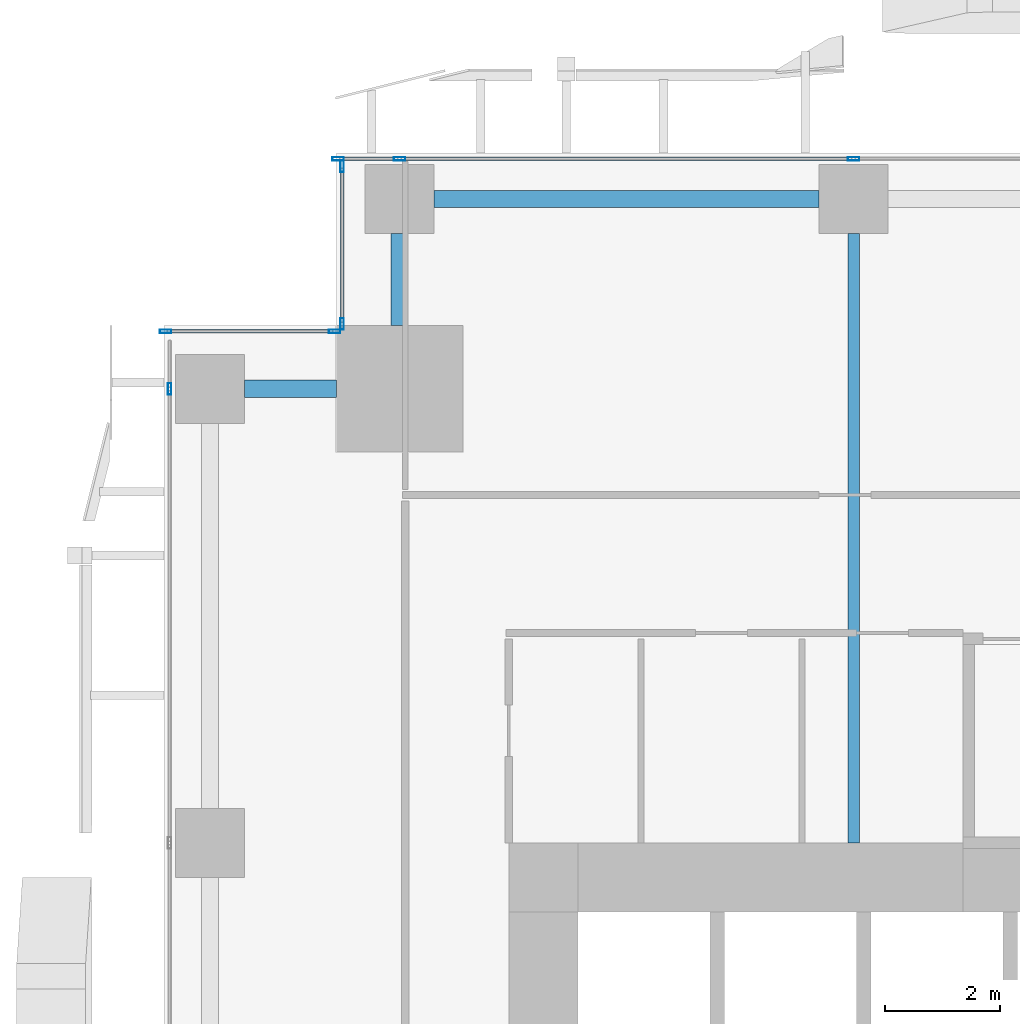
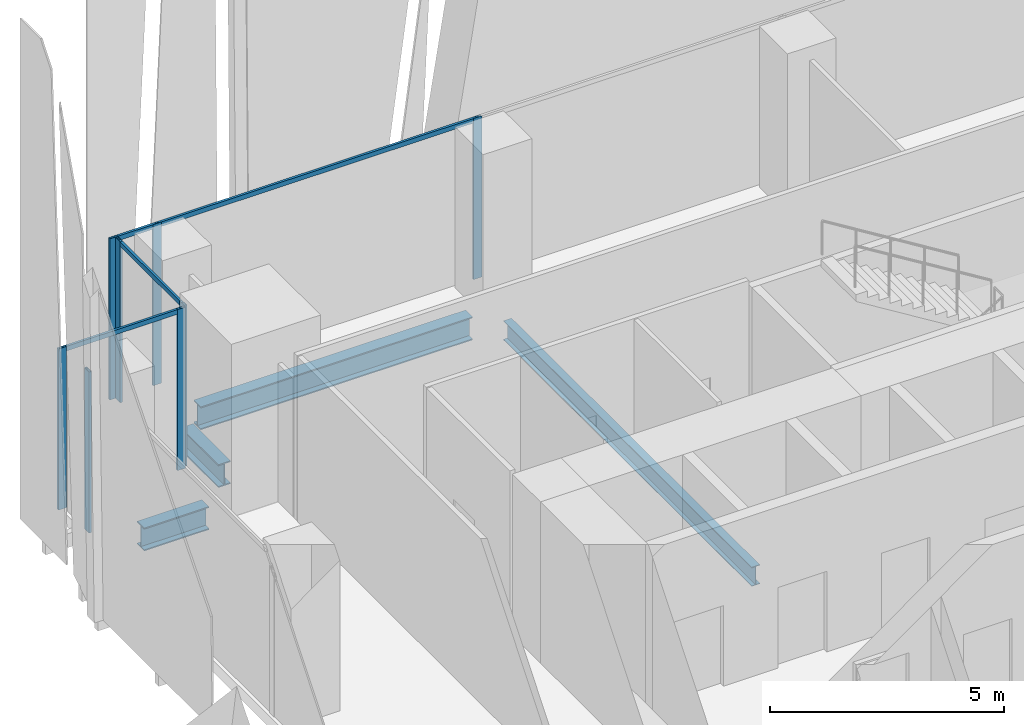
# One storey, part 16 of 37: 12 members, 4 beams, 4 elements without a shape of their own.
"""IFC4 building model written with IfcOpenShell, lengths in metres."""

from ifc_helpers import new_model, si_unit, direction, frame, origin, origin_2d, place, context, subcontext, project, spatial, hollow_rectangle, i_section, extrude, source, transform, mapped, material, material_profile, profile_set, type_object, element, aggregate, save


model = new_model("IFC4")

# Units and contexts
model_context = context("Model", 3, precision=1e-05, world=origin(), true_north=direction((0.0, 1.0)))
body_context = subcontext(model_context, "Body", "Model", "MODEL_VIEW")
ifc_project = project(units=[si_unit("LENGTHUNIT", "METRE"), si_unit("AREAUNIT", "SQUARE_METRE"), si_unit("VOLUMEUNIT", "CUBIC_METRE"), si_unit("PLANEANGLEUNIT", "RADIAN"), si_unit("MASSUNIT", "GRAM", prefix="KILO")], contexts=[model_context])

# Site, building, storey
site_placement = place(None, origin())
site = spatial("IfcSite", under=ifc_project, at=site_placement, CompositionType="ELEMENT")
building_placement = place(site_placement, origin())
building = spatial("IfcBuilding", under=site, at=building_placement, Name="Khomas Fold Tower", CompositionType="ELEMENT")
storey_placement = place(building_placement, frame((0.0, 0.0, 60.0)))
storey = spatial("IfcBuildingStorey", under=building, at=storey_placement, Name="L12", CompositionType="ELEMENT", Elevation=60.0)

# Beams
ifc_material_1 = material(Name="Steel S355", Category="steel")
ifc_material_profile_1 = material_profile(ifc_material_1, i_section(OverallWidth=0.199951171875, OverallDepth=0.5, WebThickness=0.01025390625, FlangeThickness=0.01611328125, at=origin_2d()), Name="IPE 500")
ifc_profile_set_1 = profile_set([ifc_material_profile_1], Name="Steel S355")
beam_type_1 = type_object("IfcBeamType", Name="IPE 500 beam JB5", PredefinedType="BEAM", material=ifc_profile_set_1)
shared_shape_1 = source(origin(), body_context, "Body", "SweptSolid", [
    extrude(i_section(OverallWidth=0.199951171875, OverallDepth=0.5, WebThickness=0.01025390625, FlangeThickness=0.01611328125, at=origin_2d()), origin(), (0.0, 0.0, 1.0), 10.60009765625),
])
beam_1_placement = place(storey_placement, frame((12.0, 42.0, -0.550048828125), z_axis=(0.0, 1.0, 0.0), x_axis=(-1.0, 0.0, 0.0)))
element("IfcBeam", 1, at=beam_1_placement, inside=storey, type_object=beam_type_1, Name="JB5", PredefinedType="BEAM", context=body_context, shape_type="MappedRepresentation", body=[
    mapped(shared_shape_1, transform((0.0, 0.0, 0.0))),
])
ifc_material_2 = material(Name="Steel S355", Category="steel")
ifc_material_profile_2 = material_profile(ifc_material_2, i_section(OverallWidth=0.300048828125, OverallDepth=0.60009765625, WebThickness=0.015380859375, FlangeThickness=0.030029296875, at=origin_2d()), Name="HE 600 B")
ifc_profile_set_2 = profile_set([ifc_material_profile_2], Name="Steel S355")
beam_type_2 = type_object("IfcBeamType", Name="HE 600 B spandrel SB1", PredefinedType="SPANDREL", material=ifc_profile_set_2)
shared_shape_2 = source(origin(), body_context, "Body", "SweptSolid", [
    extrude(i_section(OverallWidth=0.300048828125, OverallDepth=0.60009765625, WebThickness=0.015380859375, FlangeThickness=0.030029296875, at=origin_2d()), origin(), (0.0, 0.0, 1.0), 6.699951171875),
])
beam_2_placement = place(storey_placement, frame((4.699951171875, 53.199951171875, -0.60009765625), z_axis=(1.0, 0.0, 0.0), x_axis=(0.0, 1.0, 0.0)))
element("IfcBeam", 2, at=beam_2_placement, inside=storey, type_object=beam_type_2, Name="SB1", PredefinedType="SPANDREL", context=body_context, shape_type="MappedRepresentation", body=[
    mapped(shared_shape_2, transform((0.0, 0.0, 0.0))),
])
shared_shape_3 = source(origin(), body_context, "Body", "SweptSolid", [
    extrude(i_section(OverallWidth=0.300048828125, OverallDepth=0.60009765625, WebThickness=0.015380859375, FlangeThickness=0.030029296875, at=origin_2d()), origin(), (0.0, 0.0, 1.0), 1.60009765625),
])
for number, where, z_axis, x_axis, name in (
    (3, (4.10009765625, 51.0, -0.60009765625), (0.0, 1.0, 0.0), (-1.0, 0.0, 0.0), "SB1"),
    (4, (1.39990234375, 49.89990234375, -0.60009765625), (1.0, 0.0, 0.0), (0.0, 1.0, 0.0), "SB1"),
):
    element("IfcBeam", number, at=place(storey_placement, frame(where, z_axis=z_axis, x_axis=x_axis)), inside=storey, type_object=beam_type_2, Name=name, PredefinedType="SPANDREL", context=body_context, shape_type="MappedRepresentation", body=[
        mapped(shared_shape_3, transform((0.0, 0.0, 0.0))),
    ])

# Curtain wall, members
ifc_material_3 = material(Name="Aluminium framed double glazing", Category="aluminium")
curtain_wall_type = type_object("IfcCurtainWallType", Name="SK-Unitised clear-glass wall, growing floors CW1", PredefinedType="NOTDEFINED", material=ifc_material_3)
curtain_wall_1_placement = place(storey_placement, origin())
curtain_wall_1 = element("IfcCurtainWall", 5, at=curtain_wall_1_placement, inside=storey, type_object=curtain_wall_type, Name="CW1 run L12 06-0", PredefinedType="NOTDEFINED")
ifc_material_4 = material(Name="Aluminium", Category="aluminium")
ifc_material_profile_3 = material_profile(ifc_material_4, hollow_rectangle(XDim=0.06005859375, YDim=0.1201171875, WallThickness=0.00390625, at=origin_2d()), Name="SK-Unitised clear-glass wall, growing floors transom CW1-T")
ifc_profile_set_3 = profile_set([ifc_material_profile_3], Name="Aluminium")
member_type_1 = type_object("IfcMemberType", Name="SK-Unitised clear-glass wall, growing floors transom CW1-T", PredefinedType="USERDEFINED", material=ifc_profile_set_3)
shared_shape_4 = source(origin(), body_context, "Body", "SweptSolid", [
    extrude(hollow_rectangle(XDim=0.06005859375, YDim=0.1201171875, WallThickness=0.00390625, at=origin_2d()), origin(), (0.0, 0.0, 1.0), 7.840087890625),
])
member_1_placement = place(storey_placement, frame((11.969970703125, 53.89990234375, 4.139892578125), z_axis=(-1.0, 0.0, 0.0), x_axis=(0.0, -1.0, 0.0)))
member_1 = element("IfcMember", 6, at=member_1_placement, type_object=member_type_1, Name="CW1 transom 7", ObjectType="TRANSOM", PredefinedType="USERDEFINED", context=body_context, shape_type="MappedRepresentation", body=[
    mapped(shared_shape_4, transform((0.0, 0.0, 0.0))),
])
shared_shape_5 = source(origin(), body_context, "Body", "SweptSolid", [
    extrude(hollow_rectangle(XDim=0.06005859375, YDim=0.1201171875, WallThickness=0.00390625, at=origin_2d()), origin(), (0.0, 0.0, 1.0), 1.010009765625),
])
member_2_placement = place(storey_placement, frame((4.070068359375, 53.89990234375, 4.139892578125), z_axis=(-1.0, 0.0, 0.0), x_axis=(0.0, -1.0, 0.0)))
member_2 = element("IfcMember", 7, at=member_2_placement, type_object=member_type_1, Name="CW1 transom 8", ObjectType="TRANSOM", PredefinedType="USERDEFINED", context=body_context, shape_type="MappedRepresentation", body=[
    mapped(shared_shape_5, transform((0.0, 0.0, 0.0))),
])

# Curtain wall, member
curtain_wall_2_placement = place(storey_placement, origin())
curtain_wall_2 = element("IfcCurtainWall", 8, at=curtain_wall_2_placement, inside=storey, type_object=curtain_wall_type, Name="CW1 corner return L12 07", PredefinedType="NOTDEFINED")
shared_shape_6 = source(origin(), body_context, "Body", "SweptSolid", [
    extrude(hollow_rectangle(XDim=0.06005859375, YDim=0.1201171875, WallThickness=0.00390625, at=origin_2d()), origin(), (0.0, 0.0, 1.0), 2.679931640625),
])
member_3_placement = place(storey_placement, frame((3.10009765625, 53.739990234375, 4.139892578125), z_axis=(0.0, -1.0, 0.0), x_axis=(1.0, 0.0, 0.0)))
member_3 = element("IfcMember", 9, at=member_3_placement, type_object=member_type_1, Name="CW1 transom 1", ObjectType="TRANSOM", PredefinedType="USERDEFINED", context=body_context, shape_type="MappedRepresentation", body=[
    mapped(shared_shape_6, transform((0.0, 0.0, 0.0))),
])

curtain_wall_3_placement = place(storey_placement, origin())
curtain_wall_3 = element("IfcCurtainWall", 10, at=curtain_wall_3_placement, inside=storey, type_object=curtain_wall_type, Name="CW1 corner return L12 08", PredefinedType="NOTDEFINED")
shared_shape_7 = source(origin(), body_context, "Body", "SweptSolid", [
    extrude(hollow_rectangle(XDim=0.06005859375, YDim=0.1201171875, WallThickness=0.00390625, at=origin_2d()), origin(), (0.0, 0.0, 1.0), 2.8798828125),
])
member_4_placement = place(storey_placement, frame((2.93994140625, 50.89990234375, 4.139892578125), z_axis=(-1.0, 0.0, 0.0), x_axis=(0.0, -1.0, 0.0)))
member_4 = element("IfcMember", 11, at=member_4_placement, type_object=member_type_1, Name="CW1 transom 1", ObjectType="TRANSOM", PredefinedType="USERDEFINED", context=body_context, shape_type="MappedRepresentation", body=[
    mapped(shared_shape_7, transform((0.0, 0.0, 0.0))),
])

# Member
ifc_material_5 = material(Name="Aluminium", Category="aluminium")
ifc_material_profile_4 = material_profile(ifc_material_5, hollow_rectangle(XDim=0.06005859375, YDim=0.199951171875, WallThickness=0.00390625, at=origin_2d()), Name="SK-Unitised clear-glass wall, growing floors mullion CW1-M")
ifc_profile_set_4 = profile_set([ifc_material_profile_4], Name="Aluminium")
member_type_2 = type_object("IfcMemberType", Name="SK-Unitised clear-glass wall, growing floors mullion CW1-M", PredefinedType="MULLION", material=ifc_profile_set_4)
shared_shape_8 = source(origin(), body_context, "Body", "SweptSolid", [
    extrude(hollow_rectangle(XDim=0.06005859375, YDim=0.199951171875, WallThickness=0.00390625, at=origin_2d()), origin(), (0.0, 0.0, 1.0), 4.199951171875),
])
member_5_placement = place(storey_placement, frame((12.0, 53.89990234375, 0.0), z_axis=(0.0, 0.0, 1.0), x_axis=(0.0, -1.0, 0.0)))
member_5 = element("IfcMember", 12, at=member_5_placement, type_object=member_type_2, Name="CW1 mullion 7", PredefinedType="MULLION", context=body_context, shape_type="MappedRepresentation", body=[
    mapped(shared_shape_8, transform((0.0, 0.0, 0.0))),
])

member_6_placement = place(storey_placement, frame((4.10009765625, 53.89990234375, 0.0), z_axis=(0.0, 0.0, 1.0), x_axis=(0.0, -1.0, 0.0)))
member_6 = element("IfcMember", 13, at=member_6_placement, type_object=member_type_2, Name="CW1 mullion 8", PredefinedType="MULLION", context=body_context, shape_type="MappedRepresentation", body=[
    mapped(shared_shape_8, transform((0.0, 0.0, 0.0))),
])

member_7_placement = place(storey_placement, frame((3.030029296875, 53.89990234375, 0.0), z_axis=(0.0, 0.0, 1.0), x_axis=(0.0, -1.0, 0.0)))
member_7 = element("IfcMember", 14, at=member_7_placement, type_object=member_type_2, Name="CW1 mullion 9", PredefinedType="MULLION", context=body_context, shape_type="MappedRepresentation", body=[
    mapped(shared_shape_8, transform((0.0, 0.0, 0.0))),
])

aggregate(curtain_wall_1, [member_5, member_6, member_7, member_1, member_2])

member_8_placement = place(storey_placement, frame((3.10009765625, 53.77001953125, 0.0), z_axis=(0.0, 0.0, 1.0), x_axis=(1.0, 0.0, 0.0)))
member_8 = element("IfcMember", 15, at=member_8_placement, type_object=member_type_2, Name="CW1 mullion 1", PredefinedType="MULLION", context=body_context, shape_type="MappedRepresentation", body=[
    mapped(shared_shape_8, transform((0.0, 0.0, 0.0))),
])

member_9_placement = place(storey_placement, frame((3.10009765625, 51.030029296875, 0.0), z_axis=(0.0, 0.0, 1.0), x_axis=(1.0, 0.0, 0.0)))
member_9 = element("IfcMember", 16, at=member_9_placement, type_object=member_type_2, Name="CW1 mullion 2", PredefinedType="MULLION", context=body_context, shape_type="MappedRepresentation", body=[
    mapped(shared_shape_8, transform((0.0, 0.0, 0.0))),
])

aggregate(curtain_wall_2, [member_8, member_9, member_3])

member_10_placement = place(storey_placement, frame((2.969970703125, 50.89990234375, 0.0), z_axis=(0.0, 0.0, 1.0), x_axis=(0.0, -1.0, 0.0)))
member_10 = element("IfcMember", 17, at=member_10_placement, type_object=member_type_2, Name="CW1 mullion 1", PredefinedType="MULLION", context=body_context, shape_type="MappedRepresentation", body=[
    mapped(shared_shape_8, transform((0.0, 0.0, 0.0))),
])

member_11_placement = place(storey_placement, frame((0.030029296875, 50.89990234375, 0.0), z_axis=(0.0, 0.0, 1.0), x_axis=(0.0, -1.0, 0.0)))
member_11 = element("IfcMember", 18, at=member_11_placement, type_object=member_type_2, Name="CW1 mullion 2", PredefinedType="MULLION", context=body_context, shape_type="MappedRepresentation", body=[
    mapped(shared_shape_8, transform((0.0, 0.0, 0.0))),
])

aggregate(curtain_wall_3, [member_10, member_11, member_4])

# Curtain wall, member
curtain_wall_4_placement = place(storey_placement, origin())
curtain_wall_4 = element("IfcCurtainWall", 19, at=curtain_wall_4_placement, inside=storey, type_object=curtain_wall_type, Name="CW1 run L12 09-0", PredefinedType="NOTDEFINED")
member_12_placement = place(storey_placement, frame((0.10009765625, 49.89990234375, 0.0), z_axis=(0.0, 0.0, 1.0), x_axis=(1.0, 0.0, 0.0)))
member_12 = element("IfcMember", 20, at=member_12_placement, type_object=member_type_2, Name="CW1 mullion 2", PredefinedType="MULLION", context=body_context, shape_type="MappedRepresentation", body=[
    mapped(shared_shape_8, transform((0.0, 0.0, 0.0))),
])
aggregate(curtain_wall_4, [member_12])

save(model, "model.ifc")
